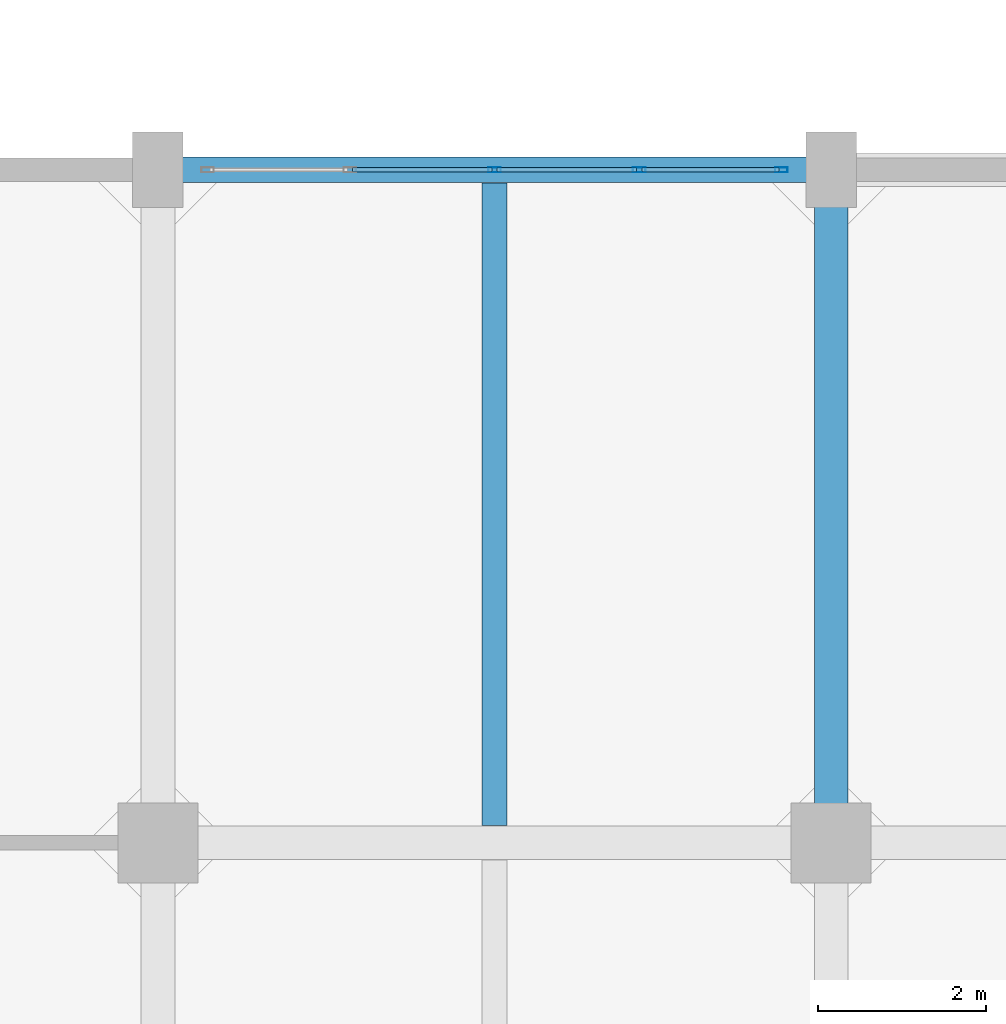
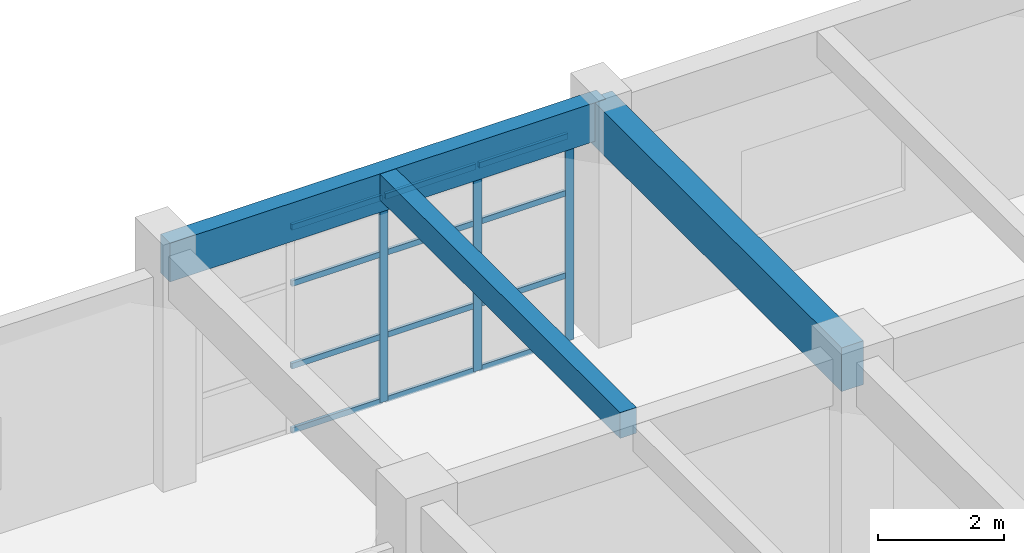
# One storey, part 22 of 63: 15 members, 3 beams, 1 element without a shape of its own.
"""IFC4 building model written with IfcOpenShell, lengths in metres."""

from ifc_helpers import new_model, si_unit, direction, frame, origin, origin_2d, place, context, subcontext, project, spatial, rectangle, hollow_rectangle, extrude, material, layer, layer_set, material_profile, profile_set, type_object, element, aggregate, save


model = new_model("IFC4")

# Units and contexts
model_context = context("Model", 3, precision=1e-05, world=origin(), true_north=direction((0.0, 1.0)))
body_context = subcontext(model_context, "Body", "Model", "MODEL_VIEW")
ifc_project = project(units=[si_unit("LENGTHUNIT", "METRE"), si_unit("AREAUNIT", "SQUARE_METRE"), si_unit("VOLUMEUNIT", "CUBIC_METRE"), si_unit("PLANEANGLEUNIT", "RADIAN"), si_unit("MASSUNIT", "GRAM", prefix="KILO")], contexts=[model_context])

# Site, building, storey
site_placement = place(None, origin())
site = spatial("IfcSite", under=ifc_project, at=site_placement, CompositionType="ELEMENT")
building_placement = place(site_placement, origin())
building = spatial("IfcBuilding", under=site, at=building_placement, Name="Canggui Botanical Conservatory", CompositionType="ELEMENT")
storey_placement = place(building_placement, frame((0.0, 0.0, 10.199951171875)))
storey = spatial("IfcBuildingStorey", under=building, at=storey_placement, Name="L03", CompositionType="ELEMENT", Elevation=10.199951171875)

# Beams
ifc_material_1 = material(Name="Concrete C35", Category="concrete")
ifc_material_profile_1 = material_profile(ifc_material_1, rectangle(XDim=0.300048828125, YDim=0.5, at=origin_2d()), Name="RB 300x500")
ifc_profile_set_1 = profile_set([ifc_material_profile_1], Name="Concrete C35")
beam_type_1 = type_object("IfcBeamType", Name="BM-JST02", PredefinedType="JOIST", material=ifc_profile_set_1)
beam_1_placement = place(storey_placement, frame((142.0, 74.205078125, 4.300048828125), z_axis=(0.0, 1.0, 0.0), x_axis=(-1.0, 0.0, 0.0)))
element("IfcBeam", 1, at=beam_1_placement, inside=storey, type_object=beam_type_1, Name="Secondary Floor Joist L03-1-7", PredefinedType="JOIST", context=body_context, shape_type="SweptSolid", body=[
    extrude(rectangle(XDim=0.300048828125, YDim=0.5, at=origin_2d()), origin(), (0.0, 0.0, 1.0), 7.639892578125),
])
ifc_material_profile_2 = material_profile(ifc_material_1, rectangle(XDim=0.39990234375, YDim=0.85009765625, at=origin_2d()), Name="RB 400x850")
ifc_profile_set_2 = profile_set([ifc_material_profile_2], Name="Concrete C35")
beam_type_2 = type_object("IfcBeamType", Name="BM-KL08", PredefinedType="BEAM", material=ifc_profile_set_2)
beam_2_placement = place(storey_placement, frame((146.0, 74.0, 4.125), z_axis=(0.0, 1.0, 0.0), x_axis=(-1.0, 0.0, 0.0)))
element("IfcBeam", 2, at=beam_2_placement, inside=storey, type_object=beam_type_2, Name="Frame Girder L03 X146-7", PredefinedType="BEAM", context=body_context, shape_type="SweptSolid", body=[
    extrude(rectangle(XDim=0.39990234375, YDim=0.85009765625, at=origin_2d()), origin(), (0.0, 0.0, 1.0), 8.0),
])
ifc_material_profile_3 = material_profile(ifc_material_1, rectangle(XDim=0.300048828125, YDim=0.75, at=origin_2d()), Name="RB 300x750")
ifc_profile_set_3 = profile_set([ifc_material_profile_3], Name="Concrete C35")
beam_type_3 = type_object("IfcBeamType", Name="BM-SPD01", PredefinedType="SPANDREL", material=ifc_profile_set_3)
beam_3_placement = place(storey_placement, frame((138.0, 82.0, 4.175048828125), z_axis=(1.0, 0.0, 0.0), x_axis=(0.0, 1.0, 0.0)))
element("IfcBeam", 3, at=beam_3_placement, inside=storey, type_object=beam_type_3, Name="Frame Girder L03 Y82-1", PredefinedType="SPANDREL", context=body_context, shape_type="SweptSolid", body=[
    extrude(rectangle(XDim=0.300048828125, YDim=0.75, at=origin_2d()), origin(), (0.0, 0.0, 1.0), 8.0),
])

# Curtain wall, members
ifc_material_2 = material(Name="Thermally Broken Aluminium", Category="aluminium")
ifc_layer = layer(ifc_material_2, 0.14990234375, Name="Thermally Broken Aluminium", Category="aluminium")
ifc_layer_set = layer_set([ifc_layer], Name="Thermally Broken Aluminium")
curtain_wall_type = type_object("IfcCurtainWallType", Name="CW-UNIT-C", PredefinedType="USERDEFINED", material=ifc_layer_set)
curtain_wall_placement = place(storey_placement, origin())
curtain_wall = element("IfcCurtainWall", 4, at=curtain_wall_placement, inside=storey, type_object=curtain_wall_type, Name="Facade Curtain Wall CW-TWR-L03-15", ObjectType="UNITISED CURTAIN WALL", PredefinedType="USERDEFINED")
ifc_material_profile_4 = material_profile(ifc_material_2, hollow_rectangle(XDim=0.06005859375, YDim=0.14990234375, WallThickness=0.00341796875, at=origin_2d()), Name="CWM 60x150x3.5")
ifc_profile_set_4 = profile_set([ifc_material_profile_4], Name="Thermally Broken Aluminium")
member_type_1 = type_object("IfcMemberType", Name="CWM-03", PredefinedType="MULLION", material=ifc_profile_set_4)
member_1_placement = place(storey_placement, frame((142.0, 82.0, 0.0), z_axis=(0.0, 0.0, 1.0), x_axis=(0.0, 1.0, 0.0)))
member_1 = element("IfcMember", 5, at=member_1_placement, type_object=member_type_1, Name="CW-03 mullion 3", PredefinedType="MULLION", context=body_context, shape_type="SweptSolid", body=[
    extrude(hollow_rectangle(XDim=0.06005859375, YDim=0.14990234375, WallThickness=0.00341796875, at=origin_2d()), origin(), (0.0, 0.0, 1.0), 4.0),
])
member_2_placement = place(storey_placement, frame((143.719970703125, 82.0, 0.0), z_axis=(0.0, 0.0, 1.0), x_axis=(0.0, 1.0, 0.0)))
member_2 = element("IfcMember", 6, at=member_2_placement, type_object=member_type_1, Name="CW-03 mullion 4", PredefinedType="MULLION", context=body_context, shape_type="SweptSolid", body=[
    extrude(hollow_rectangle(XDim=0.06005859375, YDim=0.14990234375, WallThickness=0.00341796875, at=origin_2d()), origin(), (0.0, 0.0, 1.0), 4.0),
])
member_3_placement = place(storey_placement, frame((145.409912109375, 82.0, 0.0), z_axis=(0.0, 0.0, 1.0), x_axis=(0.0, 1.0, 0.0)))
member_3 = element("IfcMember", 7, at=member_3_placement, type_object=member_type_1, Name="CW-03 mullion 5", PredefinedType="MULLION", context=body_context, shape_type="SweptSolid", body=[
    extrude(hollow_rectangle(XDim=0.06005859375, YDim=0.14990234375, WallThickness=0.00341796875, at=origin_2d()), origin(), (0.0, 0.0, 1.0), 4.0),
])
ifc_material_profile_5 = material_profile(ifc_material_2, hollow_rectangle(XDim=0.054931640625, YDim=0.110107421875, WallThickness=0.0029296875, at=origin_2d()), Name="CWT 55x110x3")
ifc_profile_set_5 = profile_set([ifc_material_profile_5], Name="Thermally Broken Aluminium")
member_type_2 = type_object("IfcMemberType", Name="CWT-03", PredefinedType="USERDEFINED", material=ifc_profile_set_5)
member_4_placement = place(storey_placement, frame((140.31005859375, 82.0, 0.027587890625), z_axis=(1.0, 0.0, 0.0), x_axis=(0.0, 1.0, 0.0)))
member_4 = element("IfcMember", 8, at=member_4_placement, type_object=member_type_2, Name="CW-03 transom 2.1", ObjectType="TRANSOM", PredefinedType="USERDEFINED", context=body_context, shape_type="SweptSolid", body=[
    extrude(hollow_rectangle(XDim=0.054931640625, YDim=0.110107421875, WallThickness=0.0029296875, at=origin_2d()), origin(), (0.0, 0.0, 1.0), 1.659912109375),
])
member_5_placement = place(storey_placement, frame((140.31005859375, 82.0, 1.280029296875), z_axis=(1.0, 0.0, 0.0), x_axis=(0.0, 1.0, 0.0)))
member_5 = element("IfcMember", 9, at=member_5_placement, type_object=member_type_2, Name="CW-03 transom 2.2", ObjectType="TRANSOM", PredefinedType="USERDEFINED", context=body_context, shape_type="SweptSolid", body=[
    extrude(hollow_rectangle(XDim=0.054931640625, YDim=0.110107421875, WallThickness=0.0029296875, at=origin_2d()), origin(), (0.0, 0.0, 1.0), 1.659912109375),
])
member_6_placement = place(storey_placement, frame((140.31005859375, 82.0, 2.880126953125), z_axis=(1.0, 0.0, 0.0), x_axis=(0.0, 1.0, 0.0)))
member_6 = element("IfcMember", 10, at=member_6_placement, type_object=member_type_2, Name="CW-03 transom 2.3", ObjectType="TRANSOM", PredefinedType="USERDEFINED", context=body_context, shape_type="SweptSolid", body=[
    extrude(hollow_rectangle(XDim=0.054931640625, YDim=0.110107421875, WallThickness=0.0029296875, at=origin_2d()), origin(), (0.0, 0.0, 1.0), 1.659912109375),
])
member_7_placement = place(storey_placement, frame((140.31005859375, 82.0, 3.97265625), z_axis=(1.0, 0.0, 0.0), x_axis=(0.0, 1.0, 0.0)))
member_7 = element("IfcMember", 11, at=member_7_placement, type_object=member_type_2, Name="CW-03 transom 2.4", ObjectType="TRANSOM", PredefinedType="USERDEFINED", context=body_context, shape_type="SweptSolid", body=[
    extrude(hollow_rectangle(XDim=0.054931640625, YDim=0.110107421875, WallThickness=0.0029296875, at=origin_2d()), origin(), (0.0, 0.0, 1.0), 1.659912109375),
])
member_8_placement = place(storey_placement, frame((142.030029296875, 82.0, 0.027587890625), z_axis=(1.0, 0.0, 0.0), x_axis=(0.0, 1.0, 0.0)))
member_8 = element("IfcMember", 12, at=member_8_placement, type_object=member_type_2, Name="CW-03 transom 3.1", ObjectType="TRANSOM", PredefinedType="USERDEFINED", context=body_context, shape_type="SweptSolid", body=[
    extrude(hollow_rectangle(XDim=0.054931640625, YDim=0.110107421875, WallThickness=0.0029296875, at=origin_2d()), origin(), (0.0, 0.0, 1.0), 1.659912109375),
])
member_9_placement = place(storey_placement, frame((142.030029296875, 82.0, 1.280029296875), z_axis=(1.0, 0.0, 0.0), x_axis=(0.0, 1.0, 0.0)))
member_9 = element("IfcMember", 13, at=member_9_placement, type_object=member_type_2, Name="CW-03 transom 3.2", ObjectType="TRANSOM", PredefinedType="USERDEFINED", context=body_context, shape_type="SweptSolid", body=[
    extrude(hollow_rectangle(XDim=0.054931640625, YDim=0.110107421875, WallThickness=0.0029296875, at=origin_2d()), origin(), (0.0, 0.0, 1.0), 1.659912109375),
])
member_10_placement = place(storey_placement, frame((142.030029296875, 82.0, 2.880126953125), z_axis=(1.0, 0.0, 0.0), x_axis=(0.0, 1.0, 0.0)))
member_10 = element("IfcMember", 14, at=member_10_placement, type_object=member_type_2, Name="CW-03 transom 3.3", ObjectType="TRANSOM", PredefinedType="USERDEFINED", context=body_context, shape_type="SweptSolid", body=[
    extrude(hollow_rectangle(XDim=0.054931640625, YDim=0.110107421875, WallThickness=0.0029296875, at=origin_2d()), origin(), (0.0, 0.0, 1.0), 1.659912109375),
])
member_11_placement = place(storey_placement, frame((142.030029296875, 82.0, 3.97265625), z_axis=(1.0, 0.0, 0.0), x_axis=(0.0, 1.0, 0.0)))
member_11 = element("IfcMember", 15, at=member_11_placement, type_object=member_type_2, Name="CW-03 transom 3.4", ObjectType="TRANSOM", PredefinedType="USERDEFINED", context=body_context, shape_type="SweptSolid", body=[
    extrude(hollow_rectangle(XDim=0.054931640625, YDim=0.110107421875, WallThickness=0.0029296875, at=origin_2d()), origin(), (0.0, 0.0, 1.0), 1.659912109375),
])
member_12_placement = place(storey_placement, frame((143.75, 82.0, 0.027587890625), z_axis=(1.0, 0.0, 0.0), x_axis=(0.0, 1.0, 0.0)))
member_12 = element("IfcMember", 16, at=member_12_placement, type_object=member_type_2, Name="CW-03 transom 4.1", ObjectType="TRANSOM", PredefinedType="USERDEFINED", context=body_context, shape_type="SweptSolid", body=[
    extrude(hollow_rectangle(XDim=0.054931640625, YDim=0.110107421875, WallThickness=0.0029296875, at=origin_2d()), origin(), (0.0, 0.0, 1.0), 1.6298828125),
])
member_13_placement = place(storey_placement, frame((143.75, 82.0, 1.280029296875), z_axis=(1.0, 0.0, 0.0), x_axis=(0.0, 1.0, 0.0)))
member_13 = element("IfcMember", 17, at=member_13_placement, type_object=member_type_2, Name="CW-03 transom 4.2", ObjectType="TRANSOM", PredefinedType="USERDEFINED", context=body_context, shape_type="SweptSolid", body=[
    extrude(hollow_rectangle(XDim=0.054931640625, YDim=0.110107421875, WallThickness=0.0029296875, at=origin_2d()), origin(), (0.0, 0.0, 1.0), 1.6298828125),
])
member_14_placement = place(storey_placement, frame((143.75, 82.0, 2.880126953125), z_axis=(1.0, 0.0, 0.0), x_axis=(0.0, 1.0, 0.0)))
member_14 = element("IfcMember", 18, at=member_14_placement, type_object=member_type_2, Name="CW-03 transom 4.3", ObjectType="TRANSOM", PredefinedType="USERDEFINED", context=body_context, shape_type="SweptSolid", body=[
    extrude(hollow_rectangle(XDim=0.054931640625, YDim=0.110107421875, WallThickness=0.0029296875, at=origin_2d()), origin(), (0.0, 0.0, 1.0), 1.6298828125),
])
member_15_placement = place(storey_placement, frame((143.75, 82.0, 3.97265625), z_axis=(1.0, 0.0, 0.0), x_axis=(0.0, 1.0, 0.0)))
member_15 = element("IfcMember", 19, at=member_15_placement, type_object=member_type_2, Name="CW-03 transom 4.4", ObjectType="TRANSOM", PredefinedType="USERDEFINED", context=body_context, shape_type="SweptSolid", body=[
    extrude(hollow_rectangle(XDim=0.054931640625, YDim=0.110107421875, WallThickness=0.0029296875, at=origin_2d()), origin(), (0.0, 0.0, 1.0), 1.6298828125),
])
aggregate(curtain_wall, [member_1, member_2, member_3, member_4, member_5, member_6, member_7, member_8, member_9, member_10, member_11, member_12, member_13, member_14, member_15])

save(model, "model.ifc")
